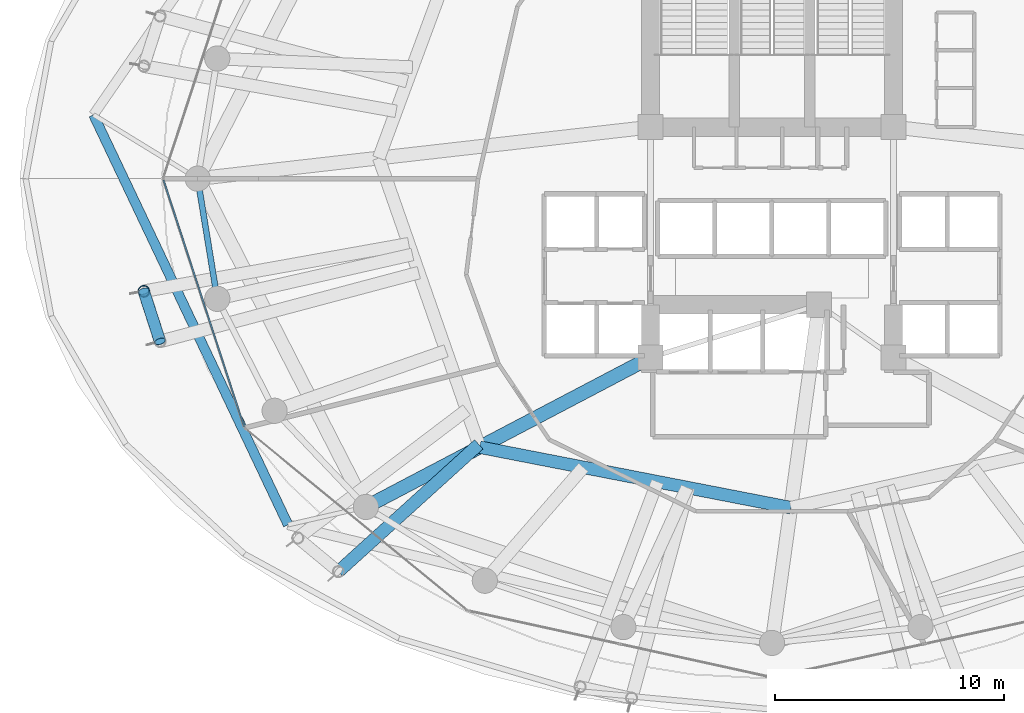
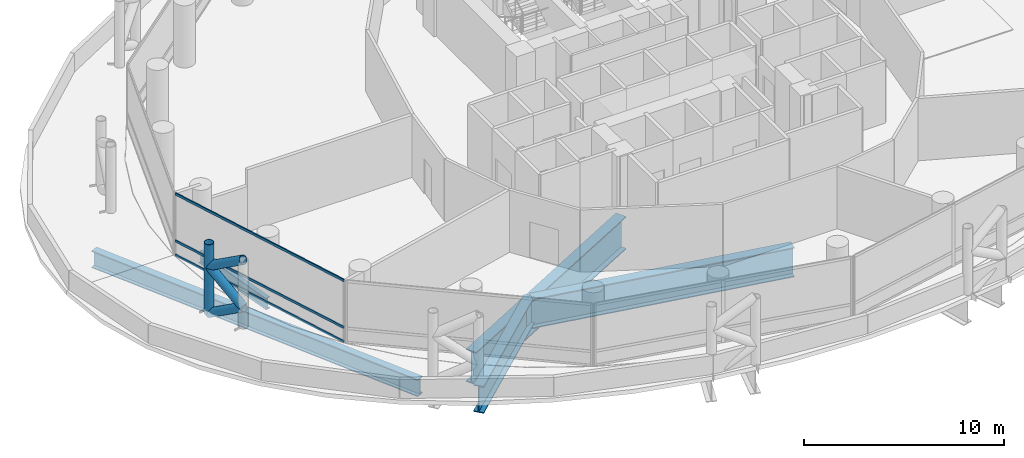
# One storey, part 7 of 37: 7 members, 5 beams, 1 element without a shape of its own.
"""IFC4 building model written with IfcOpenShell, lengths in metres."""

from ifc_helpers import new_model, si_unit, direction, frame, origin, origin_2d, place, context, subcontext, project, spatial, hollow_rectangle, hollow_circle, i_section, extrude, material, layer, layer_set, material_profile, profile_set, type_object, element, aggregate, save


model = new_model("IFC4")

# Units and contexts
model_context = context("Model", 3, precision=1e-05, world=origin(), true_north=direction((0.0, 1.0)))
body_context = subcontext(model_context, "Body", "Model", "MODEL_VIEW")
ifc_project = project(units=[si_unit("LENGTHUNIT", "METRE"), si_unit("AREAUNIT", "SQUARE_METRE"), si_unit("VOLUMEUNIT", "CUBIC_METRE"), si_unit("PLANEANGLEUNIT", "RADIAN"), si_unit("MASSUNIT", "GRAM", prefix="KILO")], contexts=[model_context])

# Site, building, storey
site_placement = place(None, origin())
site = spatial("IfcSite", under=ifc_project, at=site_placement, CompositionType="ELEMENT")
building_placement = place(site_placement, origin())
building = spatial("IfcBuilding", under=site, at=building_placement, Name="Nuhasar Tower", CompositionType="ELEMENT")
storey_placement = place(building_placement, frame((0.0, 0.0, 21.0)))
storey = spatial("IfcBuildingStorey", under=building, at=storey_placement, Name="L04", CompositionType="ELEMENT", Elevation=21.0)

# Beams
ifc_material_1 = material(Name="Steel S355", Category="steel")
ifc_material_profile_1 = material_profile(ifc_material_1, i_section(OverallWidth=0.256103515625, OverallDepth=0.693115234375, WebThickness=0.014404296875, FlangeThickness=0.023681640625, at=origin_2d()), Name="W27X114")
ifc_profile_set_1 = profile_set([ifc_material_profile_1], Name="Steel S355")
beam_type_1 = type_object("IfcBeamType", Name="BM-RING-W27X114", PredefinedType="SPANDREL", material=ifc_profile_set_1)
beam_1_placement = place(storey_placement, frame((13.949951171875, 26.800048828125, -0.60693359375), z_axis=(0.160826635486, -0.986982671235, 0.0), x_axis=(0.986982671235, 0.160826635486, 0.0)))
element("IfcBeam", 1, at=beam_1_placement, inside=storey, type_object=beam_type_1, Name="L04 Perimeter Ring Spandrel 13", PredefinedType="SPANDREL", context=body_context, shape_type="SweptSolid", body=[
    extrude(i_section(OverallWidth=0.256103515625, OverallDepth=0.693115234375, WebThickness=0.014404296875, FlangeThickness=0.023681640625, at=origin_2d()), origin(), (0.0, 0.0, 1.0), 5.31005859375),
])
ifc_material_2 = material(Name="Steel S460", Category="steel")
ifc_material_profile_2 = material_profile(ifc_material_2, i_section(OverallWidth=0.550048828125, OverallDepth=1.64990234375, WebThickness=0.031982421875, FlangeThickness=0.054931640625, at=origin_2d()), Name="PG1650X550")
ifc_profile_set_2 = profile_set([ifc_material_profile_2], Name="Steel S460")
beam_type_2 = type_object("IfcBeamType", Name="BM-XFER-PG1650", PredefinedType="USERDEFINED", material=ifc_profile_set_2)
beam_2_placement = place(storey_placement, frame((26.2099609375, 15.2099609375, -1.0849609375), z_axis=(-0.740983276148, -0.671523480206, 0.0), x_axis=(0.671523480206, -0.740983276148, 0.0)))
element("IfcBeam", 2, at=beam_2_placement, inside=storey, type_object=beam_type_2, Name="L04 Exoskeleton Base Transfer Girder 16", ObjectType="GIRDER", PredefinedType="USERDEFINED", context=body_context, shape_type="SweptSolid", body=[
    extrude(i_section(OverallWidth=0.550048828125, OverallDepth=1.64990234375, WebThickness=0.031982421875, FlangeThickness=0.054931640625, at=origin_2d()), origin(), (0.0, 0.0, 1.0), 8.263427734375),
])
ifc_material_profile_3 = material_profile(ifc_material_2, i_section(OverallWidth=0.550048828125, OverallDepth=1.800048828125, WebThickness=0.031982421875, FlangeThickness=0.054931640625, at=origin_2d()), Name="PG1800X550")
ifc_profile_set_3 = profile_set([ifc_material_profile_3], Name="Steel S460")
beam_type_3 = type_object("IfcBeamType", Name="BM-XFER-PG1800", PredefinedType="USERDEFINED", material=ifc_profile_set_3)
beam_3_placement = place(storey_placement, frame((26.251953125, 15.089111328125, -1.159912109375), z_axis=(0.981602977761, -0.190933480695, 0.0), x_axis=(0.190933480695, 0.981602977761, 0.0)))
element("IfcBeam", 3, at=beam_3_placement, inside=storey, type_object=beam_type_3, Name="L04 Inner Header Beam 01", ObjectType="GIRDER", PredefinedType="USERDEFINED", context=body_context, shape_type="SweptSolid", body=[
    extrude(i_section(OverallWidth=0.550048828125, OverallDepth=1.800048828125, WebThickness=0.031982421875, FlangeThickness=0.054931640625, at=origin_2d()), origin(), (0.0, 0.0, 1.0), 13.822509765625),
])
ifc_material_profile_4 = material_profile(ifc_material_2, i_section(OverallWidth=0.60009765625, OverallDepth=2.0, WebThickness=0.035888671875, FlangeThickness=0.06005859375, at=origin_2d()), Name="PG2000X600")
ifc_profile_set_4 = profile_set([ifc_material_profile_4], Name="Steel S460")
beam_type_4 = type_object("IfcBeamType", Name="BM-XFER-PG2000", PredefinedType="USERDEFINED", material=ifc_profile_set_4)
beam_4_placement = place(storey_placement, frame((33.699951171875, 19.0, -1.260009765625), z_axis=(-0.885330348705, -0.464962550816, 0.0), x_axis=(0.464962550816, -0.885330348705, 0.0)))
element("IfcBeam", 4, at=beam_4_placement, inside=storey, type_object=beam_type_4, Name="L04 Radial Floor Girder 01", ObjectType="GIRDER", PredefinedType="USERDEFINED", context=body_context, shape_type="SweptSolid", body=[
    extrude(i_section(OverallWidth=0.60009765625, OverallDepth=2.0, WebThickness=0.035888671875, FlangeThickness=0.06005859375, at=origin_2d()), origin(), (0.0, 0.0, 1.0), 14.0205078125),
])
ifc_material_profile_5 = material_profile(ifc_material_2, i_section(OverallWidth=0.419921875, OverallDepth=1.0400390625, WebThickness=0.031005859375, FlangeThickness=0.055908203125, at=origin_2d()), Name="W40X397")
ifc_profile_set_5 = profile_set([ifc_material_profile_5], Name="Steel S460")
beam_type_5 = type_object("IfcBeamType", Name="BM-XFER-W40X397", PredefinedType="USERDEFINED", material=ifc_profile_set_5)
beam_5_placement = place(storey_placement, frame((9.405029296875, 29.5869140625, -0.780029296875), z_axis=(0.428773284458, -0.903412126626, 0.0), x_axis=(0.903412126626, 0.428773284458, 0.0)))
element("IfcBeam", 5, at=beam_5_placement, inside=storey, type_object=beam_type_5, Name="L04 Podium Ring Girder 08", ObjectType="GIRDER", PredefinedType="USERDEFINED", context=body_context, shape_type="SweptSolid", body=[
    extrude(i_section(OverallWidth=0.419921875, OverallDepth=1.0400390625, WebThickness=0.031005859375, FlangeThickness=0.055908203125, at=origin_2d()), origin(), (0.0, 0.0, 1.0), 19.796142578125),
])

# Curtain wall, members
ifc_material_3 = material(Name="Aluminium 6063-T6", Category="aluminium")
ifc_layer = layer(ifc_material_3, 0.199951171875)
ifc_layer_set = layer_set([ifc_layer], Name="Aluminium 6063-T6")
curtain_wall_type = type_object("IfcCurtainWallType", Name="CW-Z1-OFF", PredefinedType="NOTDEFINED", material=ifc_layer_set)
curtain_wall_placement = place(storey_placement, origin())
curtain_wall = element("IfcCurtainWall", 6, at=curtain_wall_placement, inside=storey, type_object=curtain_wall_type, Name="L04 Unitised Curtain Wall 07", PredefinedType="NOTDEFINED")
ifc_material_profile_6 = material_profile(ifc_material_3, hollow_rectangle(XDim=0.06494140625, YDim=0.14990234375, WallThickness=0.00439453125, at=origin_2d()), Name="CWT-2")
ifc_profile_set_6 = profile_set([ifc_material_profile_6], Name="Aluminium 6063-T6")
member_type_1 = type_object("IfcMemberType", Name="CW-TRN-S2", PredefinedType="USERDEFINED", material=ifc_profile_set_6)
member_1_placement = place(storey_placement, frame((12.460205078125, 26.73828125, 0.032470703125), z_axis=(0.310818687697, -0.950469222741, 0.0), x_axis=(0.950469222741, 0.310818687697, 0.0)))
member_1 = element("IfcMember", 7, at=member_1_placement, type_object=member_type_1, Name="CW-Z1 transom 1.1", ObjectType="TRANSOM", PredefinedType="USERDEFINED", context=body_context, shape_type="SweptSolid", body=[
    extrude(hollow_rectangle(XDim=0.06494140625, YDim=0.14990234375, WallThickness=0.00439453125, at=origin_2d()), origin(), (0.0, 0.0, 1.0), 11.317138671875),
])
member_2_placement = place(storey_placement, frame((12.460205078125, 26.73828125, 0.89990234375), z_axis=(0.310818687697, -0.950469222741, 0.0), x_axis=(0.950469222741, 0.310818687697, 0.0)))
member_2 = element("IfcMember", 8, at=member_2_placement, type_object=member_type_1, Name="CW-Z1 transom 1.2", ObjectType="TRANSOM", PredefinedType="USERDEFINED", context=body_context, shape_type="SweptSolid", body=[
    extrude(hollow_rectangle(XDim=0.06494140625, YDim=0.14990234375, WallThickness=0.00439453125, at=origin_2d()), origin(), (0.0, 0.0, 1.0), 11.317138671875),
])
member_3_placement = place(storey_placement, frame((12.460205078125, 26.73828125, 3.757568359375), z_axis=(0.310818687697, -0.950469222741, 0.0), x_axis=(0.950469222741, 0.310818687697, 0.0)))
member_3 = element("IfcMember", 9, at=member_3_placement, type_object=member_type_1, Name="CW-Z1 transom 1.3", ObjectType="TRANSOM", PredefinedType="USERDEFINED", context=body_context, shape_type="SweptSolid", body=[
    extrude(hollow_rectangle(XDim=0.06494140625, YDim=0.14990234375, WallThickness=0.00439453125, at=origin_2d()), origin(), (0.0, 0.0, 1.0), 11.317138671875),
])
aggregate(curtain_wall, [member_1, member_2, member_3])

# Members
ifc_material_profile_7 = material_profile(ifc_material_2, hollow_circle(Radius=0.25390625, WallThickness=0.025390625, at=origin_2d()), Name="HSS508X25.4")
ifc_profile_set_7 = profile_set([ifc_material_profile_7], Name="Steel S460")
member_type_2 = type_object("IfcMemberType", Name="EXO-BRONZE-508", PredefinedType="BRACE", material=ifc_profile_set_7)
member_4_placement = place(storey_placement, frame((11.60009765625, 21.889892578125, -0.260009765625), z_axis=(0.0, 0.0, 1.0), x_axis=(1.0, 0.0, 0.0)))
element("IfcMember", 10, at=member_4_placement, inside=storey, type_object=member_type_2, Name="L04 Exoskeleton Chord Column EC-07A", PredefinedType="BRACE", context=body_context, shape_type="SweptSolid", body=[
    extrude(hollow_circle(Radius=0.25390625, WallThickness=0.025390625, at=origin_2d()), origin(), (0.0, 0.0, 1.0), 4.31005859375),
])
member_5_placement = place(storey_placement, frame((11.60009765625, 21.889892578125, -0.260009765625), z_axis=(0.261013360154, -0.806981305911, 0.529767116506), x_axis=(0.951468282519, 0.307746823478, 0.0)))
element("IfcMember", 11, at=member_5_placement, inside=storey, type_object=member_type_2, Name="L04 Bronze Diagrid Brace W1-07", PredefinedType="BRACE", context=body_context, shape_type="SweptSolid", body=[
    extrude(hollow_circle(Radius=0.25390625, WallThickness=0.025390625, at=origin_2d()), origin(), (0.0, 0.0, 1.0), 2.712646484375),
])
member_6_placement = place(storey_placement, frame((12.30810546875, 19.700927734375, 1.177001953125), z_axis=(-0.26106313949, 0.807135209886, 0.529508064304), x_axis=(-0.951468282519, -0.307746823478, 0.0)))
element("IfcMember", 12, at=member_6_placement, inside=storey, type_object=member_type_2, Name="L04 Bronze Diagrid Brace W2-07", PredefinedType="BRACE", context=body_context, shape_type="SweptSolid", body=[
    extrude(hollow_circle(Radius=0.25390625, WallThickness=0.025390625, at=origin_2d()), origin(), (0.0, 0.0, 1.0), 2.7119140625),
])
member_7_placement = place(storey_placement, frame((11.60009765625, 21.889892578125, 2.613037109375), z_axis=(0.261013360154, -0.806981305911, 0.529767116506), x_axis=(0.951468282519, 0.307746823478, 0.0)))
element("IfcMember", 13, at=member_7_placement, inside=storey, type_object=member_type_2, Name="L04 Bronze Diagrid Brace W3-07", PredefinedType="BRACE", context=body_context, shape_type="SweptSolid", body=[
    extrude(hollow_circle(Radius=0.25390625, WallThickness=0.025390625, at=origin_2d()), origin(), (0.0, 0.0, 1.0), 2.712646484375),
])

save(model, "model.ifc")
